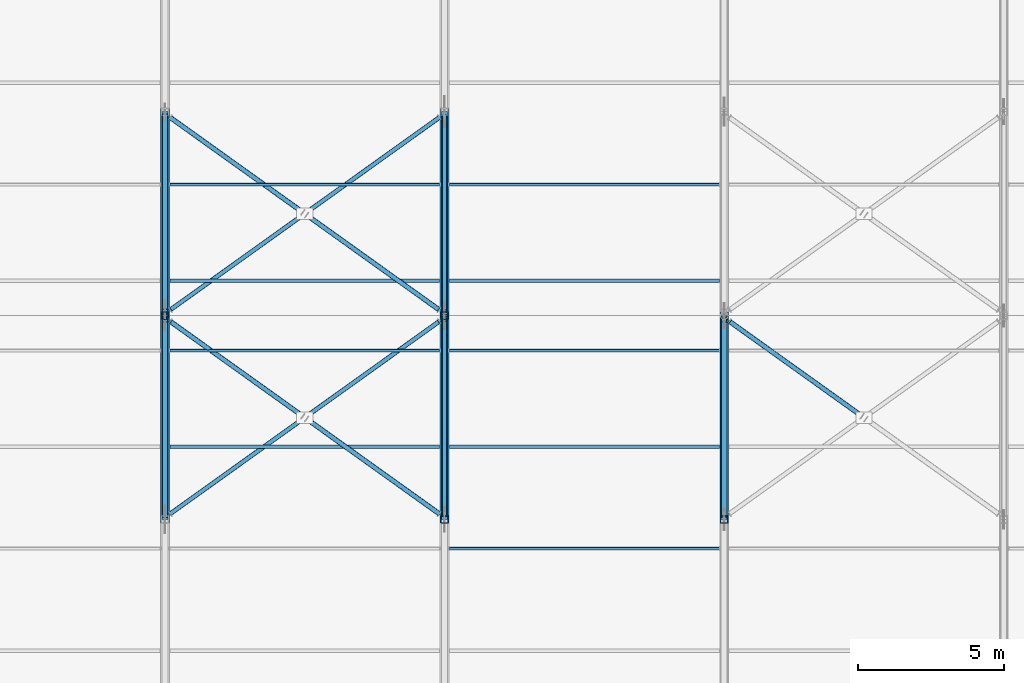
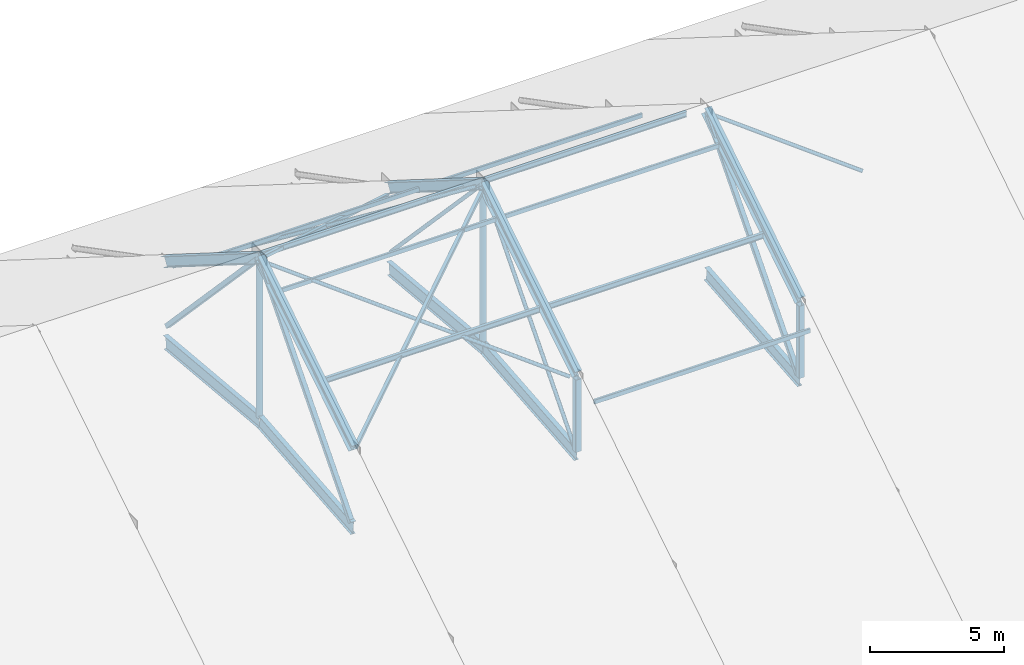
# One storey, part 6 of 66: 30 members, 5 beams.
"""IFC4 building model written with IfcOpenShell, lengths in metres."""

import ifcopenshell
import ifcopenshell.guid

model = None  # the IFC model being written
_history = None  # IfcOwnerHistory: only IFC2X3 demands one
_inside = {}  # id of a spatial element -> (the spatial element, [elements in it])
_under = {}  # id of a project, library or spatial element -> (it, [spatial elements below it])
_declared = {}  # id of a project -> (the project, [libraries it declares])
_typed = {}  # id of a type object -> (the type object, [elements of that type])
_made_of = {}  # id of a material, layer set ... -> (it, [elements and type objects made of it])


def new_model(schema):
    """Start an empty IFC model of exactly this schema.

    Asked for "IFC4X3", IfcOpenShell would pick the latest addendum, in which some entities
    have other attributes; the version numbers below select the first issue.
    IFC2X3 requires an IfcOwnerHistory on every rooted entity: one is made here for all.
    """
    global model, _history
    if schema == "IFC4X3":
        model = ifcopenshell.file(schema_version=(4, 3, 0, 0))
    else:
        model = ifcopenshell.file(schema=schema)
    _inside.clear()
    _under.clear()
    _declared.clear()
    _typed.clear()
    _made_of.clear()
    _history = None
    if model.schema == "IFC2X3":
        org = make("IfcOrganization", Name="unknown")
        user = make(
            "IfcPersonAndOrganization",
            ThePerson=make("IfcPerson", FamilyName="unknown"),
            TheOrganization=org,
        )
        app = make(
            "IfcApplication",
            ApplicationDeveloper=org,
            Version="unknown",
            ApplicationFullName="unknown",
            ApplicationIdentifier="unknown",
        )
        _history = make(
            "IfcOwnerHistory",
            OwningUser=user,
            OwningApplication=app,
            ChangeAction="ADDED",
            CreationDate=0,
        )
    return model


def make(cls, **values):
    """One entity of the class cls with the attributes given. An attribute that is None is left unset."""
    return model.create_entity(
        cls, **{name: value for name, value in values.items() if value is not None}
    )


def rooted(cls, **values):
    """An entity with a GlobalId (a new one), such as an element, a storey or a relation."""
    return make(cls, GlobalId=ifcopenshell.guid.new(), OwnerHistory=_history, **values)


def si_unit(unit_type, name, prefix=None):
    """IfcSIUnit, for example si_unit("LENGTHUNIT", "METRE", prefix="MILLI")."""
    return make("IfcSIUnit", UnitType=unit_type, Prefix=prefix, Name=name)


def assignment(units):
    """IfcUnitAssignment: the units of a project."""
    return None if units is None else make("IfcUnitAssignment", Units=units)


def point(xyz):
    """IfcCartesianPoint."""
    return None if xyz is None else make("IfcCartesianPoint", Coordinates=xyz)


def direction(xyz):
    """IfcDirection."""
    return None if xyz is None else make("IfcDirection", DirectionRatios=xyz)


def frame(location, z_axis=None, x_axis=None):
    """IfcAxis2Placement3D, a coordinate frame: its origin and axes. An axis left out is left unset."""
    return make(
        "IfcAxis2Placement3D",
        Location=point(location),
        Axis=direction(z_axis),
        RefDirection=direction(x_axis),
    )


def frame_2d(location, x_axis=None):
    """IfcAxis2Placement2D, a coordinate frame in the plane: its origin and x axis."""
    return make(
        "IfcAxis2Placement2D", Location=point(location), RefDirection=direction(x_axis)
    )


def origin():
    """The frame at (0, 0, 0) with its axes left unset."""
    return frame((0.0, 0.0, 0.0))


def origin_2d():
    """The frame at (0, 0) in the plane with its x axis left unset."""
    return frame_2d((0.0, 0.0))


def place(relative_to, where):
    """IfcLocalPlacement: puts the frame where relative to a parent placement (None: the world)."""
    return make(
        "IfcLocalPlacement", PlacementRelTo=relative_to, RelativePlacement=where
    )


def context(
    kind, dimensions, precision=None, world=None, true_north=None, identifier=None
):
    """IfcGeometricRepresentationContext, for example the 3D "Model" context."""
    return make(
        "IfcGeometricRepresentationContext",
        ContextIdentifier=identifier,
        ContextType=kind,
        CoordinateSpaceDimension=dimensions,
        Precision=precision,
        WorldCoordinateSystem=world,
        TrueNorth=true_north,
    )


def subcontext(parent, identifier, kind, view, scale=None):
    """IfcGeometricRepresentationSubContext, for example "Body" below "Model"."""
    return make(
        "IfcGeometricRepresentationSubContext",
        ContextIdentifier=identifier,
        ContextType=kind,
        ParentContext=parent,
        TargetScale=scale,
        TargetView=view,
    )


def project(units=None, contexts=None):
    """IfcProject with its units and contexts."""
    return rooted(
        "IfcProject",
        Name="project",
        RepresentationContexts=contexts,
        UnitsInContext=assignment(units),
    )


def spatial(cls, under=None, at=None, **own):
    """A site, building, storey or space (cls), placed at a placement, below another one or the project."""
    s = rooted(cls, ObjectPlacement=at, **own)
    if under is not None:
        _under.setdefault(under.id(), (under, []))[1].append(s)
    return s


def profile(cls, at=None, kind="AREA", **sizes):
    """A parametric profile (cls). Its sizes go by their IFC names, for example OverallWidth=200.0."""
    return make(cls, ProfileType=kind, Position=at, **sizes)


def hollow_rectangle(**sizes):
    """IfcRectangleHollowProfileDef."""
    return profile("IfcRectangleHollowProfileDef", **sizes)


def hollow_circle(**sizes):
    """IfcCircleHollowProfileDef."""
    return profile("IfcCircleHollowProfileDef", **sizes)


def i_section(**sizes):
    """IfcIShapeProfileDef."""
    return profile("IfcIShapeProfileDef", **sizes)


def extrude(swept, where, along, depth):
    """IfcExtrudedAreaSolid: the profile swept, set in the frame where, extruded along a direction by depth."""
    return make(
        "IfcExtrudedAreaSolid",
        SweptArea=swept,
        Position=where,
        ExtrudedDirection=direction(along),
        Depth=depth,
    )


def shape(context_of_items, identifier, shape_type, items):
    """IfcShapeRepresentation: the items that make up one representation, for example the "Body"."""
    return make(
        "IfcShapeRepresentation",
        ContextOfItems=context_of_items,
        RepresentationIdentifier=identifier,
        RepresentationType=shape_type,
        Items=items,
    )


def material(Name=None, Category=None):
    """IfcMaterial."""
    return make("IfcMaterial", Name=Name, Category=Category)


def material_profile(
    of_material, cross_section, Name=None, Category=None, Priority=None
):
    """IfcMaterialProfile: a cross section and its material."""
    return make(
        "IfcMaterialProfile",
        Name=Name,
        Material=of_material,
        Profile=cross_section,
        Priority=Priority,
        Category=Category,
    )


def profile_set(profiles, Name=None, composite=None):
    """IfcMaterialProfileSet."""
    return make(
        "IfcMaterialProfileSet",
        Name=Name,
        MaterialProfiles=profiles,
        CompositeProfile=composite,
    )


def made_of(thing, what):
    """Note that an element or type object is made of a material, layer set ...; save() writes the relation."""
    if what is not None:
        _made_of.setdefault(what.id(), (what, []))[1].append(thing)
    return thing


def type_object(cls, material=None, **own):
    """A type object (cls), such as IfcWallType, which elements share."""
    return made_of(rooted(cls, **own), material)


def element(
    cls,
    number,
    at=None,
    inside=None,
    cuts=None,
    type_object=None,
    material=None,
    context=None,
    identifier="Body",
    shape_type=None,
    held_by="IfcProductDefinitionShape",
    body=None,
    shapes=None,
    **own,
):
    """One element of the class cls, such as IfcWall. Its Tag is "e" and its number.

    at: its placement. inside: the storey or other place that contains it. cuts: it is an
    opening in that element (IfcRelVoidsElement). A single representation is given by context,
    identifier, shape_type and body (its items); several are given by shapes. held_by: the class
    of the entity that holds the representations. save() writes the other relations.
    """
    e = rooted(cls, Tag="e%d" % number, ObjectPlacement=at, **own)
    if body is not None:
        shapes = [shape(context, identifier, shape_type, body)]
    if shapes is not None:
        e.Representation = make(held_by, Representations=shapes)
    if inside is not None:
        _inside.setdefault(inside.id(), (inside, []))[1].append(e)
    if cuts is not None:
        rooted(
            "IfcRelVoidsElement", RelatingBuildingElement=cuts, RelatedOpeningElement=e
        )
    if type_object is not None:
        _typed.setdefault(type_object.id(), (type_object, []))[1].append(e)
    return made_of(e, material)


def aggregate(whole, parts):
    """IfcRelAggregates: a whole, such as a stair, and the parts it consists of."""
    return rooted("IfcRelAggregates", RelatingObject=whole, RelatedObjects=parts)


def save(model, path):
    """Write the relations noted so far, then the file.

    IfcRelAggregates (storeys below a building ...), IfcRelContainedInSpatialStructure (elements
    in a storey), IfcRelDefinesByType, IfcRelAssociatesMaterial and IfcRelDeclares: one each for
    every whole, place, type object, material and project.
    """
    for whole, parts in _under.values():
        aggregate(whole, parts)
    for where, things in _inside.values():
        rooted(
            "IfcRelContainedInSpatialStructure",
            RelatedElements=things,
            RelatingStructure=where,
        )
    for kind, things in _typed.values():
        rooted("IfcRelDefinesByType", RelatedObjects=things, RelatingType=kind)
    for what, things in _made_of.values():
        rooted("IfcRelAssociatesMaterial", RelatedObjects=things, RelatingMaterial=what)
    for by, libraries in _declared.values():
        rooted("IfcRelDeclares", RelatingContext=by, RelatedDefinitions=libraries)
    model.write(path)


model = new_model("IFC4")

# Units and contexts
model_context = context("Model", 3, precision=1e-05, world=origin(), true_north=direction((0.0, 1.0)))
body_context = subcontext(model_context, "Body", "Model", "MODEL_VIEW")
ifc_project = project(units=[si_unit("LENGTHUNIT", "METRE"), si_unit("AREAUNIT", "SQUARE_METRE"), si_unit("VOLUMEUNIT", "CUBIC_METRE"), si_unit("PLANEANGLEUNIT", "RADIAN"), si_unit("MASSUNIT", "GRAM", prefix="KILO")], contexts=[model_context])

# Site, building, storey
site_placement = place(None, origin())
site = spatial("IfcSite", under=ifc_project, at=site_placement, CompositionType="ELEMENT")
building_placement = place(site_placement, origin())
building = spatial("IfcBuilding", under=site, at=building_placement, Name="Yeouljin Market Hall", CompositionType="ELEMENT")
storey_placement = place(building_placement, frame((0.0, 0.0, 23.39990234375)))
storey = spatial("IfcBuildingStorey", under=building, at=storey_placement, Name="RF", CompositionType="ELEMENT", Elevation=23.39990234375)

# Beams
ifc_material_1 = material(Name="Steel SM355", Category="steel")
ifc_material_profile_1 = material_profile(ifc_material_1, i_section(OverallWidth=0.199951171875, OverallDepth=0.60009765625, WebThickness=0.010986328125, FlangeThickness=0.01708984375, FilletRadius=0.02197265625, at=origin_2d()), Name="H-600x200x11x17")
ifc_profile_set_1 = profile_set([ifc_material_profile_1], Name="Steel SM355")
beam_type = type_object("IfcBeamType", Name="Beam_H-600x200x11x17", PredefinedType="BEAM", material=ifc_profile_set_1)
for number, where, z_axis, x_axis, name in (
    (1, (64.199951171875, 50.02001953125, -7.144287109375), (0.0, 0.995742692808, 0.092176405441), (-1.0, 0.0, 0.0), "Truss AT-04 arch rib 3"),
    (2, (64.199951171875, 57.02001953125, -6.5), (0.0, 0.995742692808, -0.092176405441), (-1.0, 0.0, 0.0), "Truss AT-04 arch rib 4"),
    (3, (73.800048828125, 50.02001953125, -7.144287109375), (0.0, 0.995742692808, 0.092176405441), (-1.0, 0.0, 0.0), "Truss AT-05 arch rib 3"),
    (4, (73.800048828125, 57.02001953125, -6.5), (0.0, 0.995742692808, -0.092176405441), (-1.0, 0.0, 0.0), "Truss AT-05 arch rib 4"),
    (5, (83.39990234375, 50.02001953125, -7.144287109375), (0.0, 0.995742692808, 0.092176405441), (-1.0, 0.0, 0.0), "Truss AT-06 arch rib 3"),
):
    element("IfcBeam", number, at=place(storey_placement, frame(where, z_axis=z_axis, x_axis=x_axis)), inside=storey, type_object=beam_type, Name=name, PredefinedType="BEAM", context=body_context, shape_type="SweptSolid", body=[
        extrude(i_section(OverallWidth=0.199951171875, OverallDepth=0.60009765625, WebThickness=0.010986328125, FlangeThickness=0.01708984375, FilletRadius=0.02197265625, at=origin_2d()), origin(), (0.0, 0.0, 1.0), 6.98974609375),
    ])

# Members
ifc_material_2 = material(Name="Steel SS275", Category="steel")
ifc_material_profile_2 = material_profile(ifc_material_2, hollow_circle(Radius=0.08251953125, WallThickness=0.006103515625, at=origin_2d()), Name="CHS-165.2x6")
ifc_profile_set_2 = profile_set([ifc_material_profile_2], Name="Steel SS275")
member_type_1 = type_object("IfcMemberType", Name="Brace_CHS-165.2x6", PredefinedType="BRACE", material=ifc_profile_set_2)
member_1_placement = place(storey_placement, frame((73.800048828125, 50.144287109375, -6.978271484375), z_axis=(0.0, 0.656456540155, 0.754363845162), x_axis=(-1.0, 0.0, 0.0)))
element("IfcMember", 6, at=member_1_placement, inside=storey, type_object=member_type_1, Name="Truss AT-05 web diagonal 3", PredefinedType="BRACE", context=body_context, shape_type="SweptSolid", body=[
    extrude(hollow_circle(Radius=0.08251953125, WallThickness=0.006103515625, at=origin_2d()), origin(), (0.0, 0.0, 1.0), 10.2236328125),
])
member_2_placement = place(storey_placement, frame((73.800048828125, 57.151123046875, 0.740234375), z_axis=(0.0, 0.687208071692, -0.726460643257), x_axis=(-1.0, 0.0, 0.0)))
element("IfcMember", 7, at=member_2_placement, inside=storey, type_object=member_type_1, Name="Truss AT-05 web diagonal 4", PredefinedType="BRACE", context=body_context, shape_type="SweptSolid", body=[
    extrude(hollow_circle(Radius=0.08251953125, WallThickness=0.006103515625, at=origin_2d()), origin(), (0.0, 0.0, 1.0), 9.746337890625),
])
member_3_placement = place(storey_placement, frame((64.385986328125, 56.800048828125, 0.72021484375), z_axis=(0.758334968032, -0.542378256538, -0.361599091669), x_axis=(0.581742638164, 0.813372917512, 0.0)))
element("IfcMember", 8, at=member_3_placement, inside=storey, type_object=member_type_1, Name="Roof wind brace 003B1", PredefinedType="BRACE", context=body_context, shape_type="SweptSolid", body=[
    extrude(hollow_circle(Radius=0.08251953125, WallThickness=0.006103515625, at=origin_2d()), origin(), (0.0, 0.0, 1.0), 5.989501953125),
])
for number, where, z_axis, x_axis, name in (
    (9, (69.072021484375, 53.448486328125, -1.514404296875), (0.75834614511, -0.542386250636, -0.361563658736), (0.581742638164, 0.813372917512, 0.0), "Roof wind brace 003B2"),
    (10, (64.385986328125, 63.800048828125, -3.679931640625), (0.75834614511, -0.542386250636, 0.361563658736), (0.581742638164, 0.813372917512, 0.0), "Roof wind brace 004B1"),
):
    element("IfcMember", number, at=place(storey_placement, frame(where, z_axis=z_axis, x_axis=x_axis)), inside=storey, type_object=member_type_1, Name=name, PredefinedType="BRACE", context=body_context, shape_type="SweptSolid", body=[
        extrude(hollow_circle(Radius=0.08251953125, WallThickness=0.006103515625, at=origin_2d()), origin(), (0.0, 0.0, 1.0), 5.9892578125),
    ])
for number, where, z_axis, x_axis, name in (
    (11, (69.072021484375, 60.448486328125, -1.445556640625), (0.758334968032, -0.542378256538, 0.361599091669), (0.581742638164, 0.813372917512, 0.0), "Roof wind brace 004B2"),
    (12, (83.5859375, 56.800048828125, 0.72021484375), (0.758334968032, -0.542378256538, -0.361599091669), (0.581742638164, 0.813372917512, 0.0), "Roof wind brace 005B1"),
):
    element("IfcMember", number, at=place(storey_placement, frame(where, z_axis=z_axis, x_axis=x_axis)), inside=storey, type_object=member_type_1, Name=name, PredefinedType="BRACE", context=body_context, shape_type="SweptSolid", body=[
        extrude(hollow_circle(Radius=0.08251953125, WallThickness=0.006103515625, at=origin_2d()), origin(), (0.0, 0.0, 1.0), 5.989501953125),
    ])
ifc_material_3 = material(Name="Steel SS275", Category="steel")
ifc_material_profile_3 = material_profile(ifc_material_3, hollow_rectangle(XDim=0.14990234375, YDim=0.14990234375, WallThickness=0.006103515625, InnerFilletRadius=0.006103515625, OuterFilletRadius=0.011962890625, at=origin_2d()), Name="SHS-150x150x6")
ifc_profile_set_3 = profile_set([ifc_material_profile_3], Name="Steel SS275")
member_type_2 = type_object("IfcMemberType", Name="Brace_SHS-150x150x6", PredefinedType="BRACE", material=ifc_profile_set_3)
for number, where, z_axis, x_axis, name in (
    (13, (64.385986328125, 50.199951171875, -3.679931640625), (0.758336637045, 0.542379825543, 0.361593237988), (-0.581742904466, 0.813372727047, 0.0), "Roof wind brace 003A"),
    (14, (64.385986328125, 57.199951171875, 0.72021484375), (0.758336637045, 0.542379825543, -0.361593237988), (-0.581742904466, 0.813372727047, 0.0), "Roof wind brace 004A"),
):
    element("IfcMember", number, at=place(storey_placement, frame(where, z_axis=z_axis, x_axis=x_axis)), inside=storey, type_object=member_type_2, Name=name, PredefinedType="BRACE", context=body_context, shape_type="SweptSolid", body=[
        extrude(hollow_rectangle(XDim=0.14990234375, YDim=0.14990234375, WallThickness=0.006103515625, InnerFilletRadius=0.006103515625, OuterFilletRadius=0.011962890625, at=origin_2d()), origin(), (0.0, 0.0, 1.0), 12.168701171875),
    ])
ifc_material_4 = material(Name="Steel SM355", Category="steel")
ifc_material_profile_4 = material_profile(ifc_material_4, hollow_rectangle(XDim=0.199951171875, YDim=0.199951171875, WallThickness=0.008056640625, InnerFilletRadius=0.008056640625, OuterFilletRadius=0.01611328125, at=origin_2d()), Name="SHS-200x200x8")
ifc_profile_set_4 = profile_set([ifc_material_profile_4], Name="Steel SM355")
member_type_3 = type_object("IfcMemberType", Name="Brace_SHS-200x200x8", PredefinedType="BRACE", material=ifc_profile_set_4)
member_4_placement = place(storey_placement, frame((64.199951171875, 50.144287109375, -6.978271484375), z_axis=(0.0, 0.656456540155, 0.754363845162), x_axis=(-1.0, 0.0, 0.0)))
element("IfcMember", 15, at=member_4_placement, inside=storey, type_object=member_type_3, Name="Truss AT-04 web diagonal 3", PredefinedType="BRACE", context=body_context, shape_type="SweptSolid", body=[
    extrude(hollow_rectangle(XDim=0.199951171875, YDim=0.199951171875, WallThickness=0.008056640625, InnerFilletRadius=0.008056640625, OuterFilletRadius=0.01611328125, at=origin_2d()), origin(), (0.0, 0.0, 1.0), 10.2236328125),
])
member_5_placement = place(storey_placement, frame((64.199951171875, 57.151123046875, 0.740234375), z_axis=(0.0, 0.687208071692, -0.726460643257), x_axis=(-1.0, 0.0, 0.0)))
element("IfcMember", 16, at=member_5_placement, inside=storey, type_object=member_type_3, Name="Truss AT-04 web diagonal 4", PredefinedType="BRACE", context=body_context, shape_type="SweptSolid", body=[
    extrude(hollow_rectangle(XDim=0.199951171875, YDim=0.199951171875, WallThickness=0.008056640625, InnerFilletRadius=0.008056640625, OuterFilletRadius=0.01611328125, at=origin_2d()), origin(), (0.0, 0.0, 1.0), 9.746337890625),
])
member_6_placement = place(storey_placement, frame((83.39990234375, 50.144287109375, -6.978271484375), z_axis=(0.0, 0.656456540155, 0.754363845162), x_axis=(-1.0, 0.0, 0.0)))
element("IfcMember", 17, at=member_6_placement, inside=storey, type_object=member_type_3, Name="Truss AT-06 web diagonal 3", PredefinedType="BRACE", context=body_context, shape_type="SweptSolid", body=[
    extrude(hollow_rectangle(XDim=0.199951171875, YDim=0.199951171875, WallThickness=0.008056640625, InnerFilletRadius=0.008056640625, OuterFilletRadius=0.01611328125, at=origin_2d()), origin(), (0.0, 0.0, 1.0), 10.2236328125),
])
ifc_material_5 = material(Name="Steel SM355", Category="steel")
ifc_material_profile_5 = material_profile(ifc_material_5, i_section(OverallWidth=0.300048828125, OverallDepth=0.43994140625, WebThickness=0.010986328125, FlangeThickness=0.01806640625, FilletRadius=0.02001953125, at=origin_2d()), Name="H-440x300x11x18")
ifc_profile_set_5 = profile_set([ifc_material_profile_5], Name="Steel SM355")
member_type_4 = type_object("IfcMemberType", Name="Chord_H-440x300x11x18", PredefinedType="CHORD", material=ifc_profile_set_5)
for number, where, z_axis, x_axis, name in (
    (18, (64.199951171875, 50.0, -3.5), (0.0, 0.846628566691, 0.532184244471), (-1.0, 0.0, 0.0), "Truss AT-04 top chord 3"),
    (19, (64.199951171875, 57.0, 0.900146484375), (0.0, 0.846628566691, -0.532184244471), (-1.0, 0.0, 0.0), "Truss AT-04 top chord 4"),
    (20, (73.800048828125, 50.0, -3.5), (0.0, 0.846628566691, 0.532184244471), (-1.0, 0.0, 0.0), "Truss AT-05 top chord 3"),
    (21, (73.800048828125, 57.0, 0.900146484375), (0.0, 0.846628566691, -0.532184244471), (-1.0, 0.0, 0.0), "Truss AT-05 top chord 4"),
):
    element("IfcMember", number, at=place(storey_placement, frame(where, z_axis=z_axis, x_axis=x_axis)), inside=storey, type_object=member_type_4, Name=name, PredefinedType="CHORD", context=body_context, shape_type="SweptSolid", body=[
        extrude(i_section(OverallWidth=0.300048828125, OverallDepth=0.43994140625, WebThickness=0.010986328125, FlangeThickness=0.01806640625, FilletRadius=0.02001953125, at=origin_2d()), origin(), (0.0, 0.0, 1.0), 8.26806640625),
    ])
ifc_material_6 = material(Name="Steel SM355", Category="steel")
ifc_material_profile_6 = material_profile(ifc_material_6, i_section(OverallWidth=0.300048828125, OverallDepth=0.488037109375, WebThickness=0.010986328125, FlangeThickness=0.01806640625, FilletRadius=0.02197265625, at=origin_2d()), Name="H-488x300x11x18")
ifc_profile_set_6 = profile_set([ifc_material_profile_6], Name="Steel SM355")
member_type_5 = type_object("IfcMemberType", Name="Chord_H-488x300x11x18", PredefinedType="CHORD", material=ifc_profile_set_6)
member_7_placement = place(storey_placement, frame((83.39990234375, 50.0, -3.5), z_axis=(0.0, 0.846628566691, 0.532184244471), x_axis=(-1.0, 0.0, 0.0)))
element("IfcMember", 22, at=member_7_placement, inside=storey, type_object=member_type_5, Name="Truss AT-06 top chord 3", PredefinedType="CHORD", context=body_context, shape_type="SweptSolid", body=[
    extrude(i_section(OverallWidth=0.300048828125, OverallDepth=0.488037109375, WebThickness=0.010986328125, FlangeThickness=0.01806640625, FilletRadius=0.02197265625, at=origin_2d()), origin(), (0.0, 0.0, 1.0), 8.26806640625),
])
ifc_material_7 = material(Name="Steel SM355", Category="steel")
ifc_material_profile_7 = material_profile(ifc_material_7, i_section(OverallWidth=0.125, OverallDepth=0.25, WebThickness=0.006103515625, FlangeThickness=0.009033203125, FilletRadius=0.011962890625, at=origin_2d()), Name="H-250x125x6x9")
ifc_profile_set_7 = profile_set([ifc_material_profile_7], Name="Steel SM355")
member_type_6 = type_object("IfcMemberType", Name="Purlin_H-250x125x6x9", PredefinedType="PURLIN", material=ifc_profile_set_7)
for number, where, z_axis, x_axis, name in (
    (23, (64.365966796875, 52.5, -2.008544921875), (1.0, 0.0, 0.0), (0.0, 1.0, 0.0), "Nave roof purlin 041"),
    (24, (64.365966796875, 58.199951171875, 0.06591796875), (1.0, 0.0, 0.0), (0.0, 1.0, 0.0), "Nave roof purlin 043"),
):
    element("IfcMember", number, at=place(storey_placement, frame(where, z_axis=z_axis, x_axis=x_axis)), inside=storey, type_object=member_type_6, Name=name, PredefinedType="PURLIN", context=body_context, shape_type="SweptSolid", body=[
        extrude(i_section(OverallWidth=0.125, OverallDepth=0.25, WebThickness=0.006103515625, FlangeThickness=0.009033203125, FilletRadius=0.011962890625, at=origin_2d()), origin(), (0.0, 0.0, 1.0), 9.26806640625),
    ])
for number, where, z_axis, x_axis, name in (
    (25, (73.966064453125, 52.5, -2.008544921875), (1.0, 0.0, 0.0), (0.0, 1.0, 0.0), "Nave roof purlin 053"),
    (26, (73.966064453125, 58.199951171875, 0.06591796875), (1.0, 0.0, 0.0), (0.0, 1.0, 0.0), "Nave roof purlin 055"),
):
    element("IfcMember", number, at=place(storey_placement, frame(where, z_axis=z_axis, x_axis=x_axis)), inside=storey, type_object=member_type_6, Name=name, PredefinedType="PURLIN", context=body_context, shape_type="SweptSolid", body=[
        extrude(i_section(OverallWidth=0.125, OverallDepth=0.25, WebThickness=0.006103515625, FlangeThickness=0.009033203125, FilletRadius=0.011962890625, at=origin_2d()), origin(), (0.0, 0.0, 1.0), 9.267822265625),
    ])
ifc_material_8 = material(Name="Steel SS275", Category="steel")
ifc_material_profile_8 = material_profile(ifc_material_8, hollow_rectangle(XDim=0.10009765625, YDim=0.199951171875, WallThickness=0.006103515625, InnerFilletRadius=0.006103515625, OuterFilletRadius=0.011962890625, at=origin_2d()), Name="RHS-200x100x6")
ifc_profile_set_8 = profile_set([ifc_material_profile_8], Name="Steel SS275")
member_type_7 = type_object("IfcMemberType", Name="Purlin_RHS-200x100x6", PredefinedType="PURLIN", material=ifc_profile_set_8)
for number, where, z_axis, x_axis, name in (
    (27, (64.365966796875, 55.800048828125, 0.06591796875), (1.0, 0.0, 0.0), (0.0, 1.0, 0.0), "Nave roof purlin 042"),
    (28, (64.365966796875, 61.5, -2.008544921875), (1.0, 0.0, 0.0), (0.0, 1.0, 0.0), "Nave roof purlin 044"),
):
    element("IfcMember", number, at=place(storey_placement, frame(where, z_axis=z_axis, x_axis=x_axis)), inside=storey, type_object=member_type_7, Name=name, PredefinedType="PURLIN", context=body_context, shape_type="SweptSolid", body=[
        extrude(hollow_rectangle(XDim=0.10009765625, YDim=0.199951171875, WallThickness=0.006103515625, InnerFilletRadius=0.006103515625, OuterFilletRadius=0.011962890625, at=origin_2d()), origin(), (0.0, 0.0, 1.0), 9.26806640625),
    ])
for number, where, z_axis, x_axis, name in (
    (29, (73.966064453125, 49.0, -4.20849609375), (1.0, 0.0, 0.0), (0.0, 1.0, 0.0), "Nave roof purlin 052"),
    (30, (73.966064453125, 55.800048828125, 0.06591796875), (1.0, 0.0, 0.0), (0.0, 1.0, 0.0), "Nave roof purlin 054"),
    (31, (73.966064453125, 61.5, -2.008544921875), (1.0, 0.0, 0.0), (0.0, 1.0, 0.0), "Nave roof purlin 056"),
):
    element("IfcMember", number, at=place(storey_placement, frame(where, z_axis=z_axis, x_axis=x_axis)), inside=storey, type_object=member_type_7, Name=name, PredefinedType="PURLIN", context=body_context, shape_type="SweptSolid", body=[
        extrude(hollow_rectangle(XDim=0.10009765625, YDim=0.199951171875, WallThickness=0.006103515625, InnerFilletRadius=0.006103515625, OuterFilletRadius=0.011962890625, at=origin_2d()), origin(), (0.0, 0.0, 1.0), 9.267822265625),
    ])
ifc_material_9 = material(Name="Steel SM355", Category="steel")
ifc_material_profile_9 = material_profile(ifc_material_9, hollow_circle(Radius=0.1337890625, WallThickness=0.009033203125, at=origin_2d()), Name="CHS-267.4x9")
ifc_profile_set_9 = profile_set([ifc_material_profile_9], Name="Steel SM355")
member_type_8 = type_object("IfcMemberType", Name="Strut_CHS-267.4x9", PredefinedType="STRUT", material=ifc_profile_set_9)
for number, where, z_axis, x_axis, name in (
    (32, (64.199951171875, 57.0, -6.31982421875), (0.0, 0.0, 1.0), (1.0, 0.0, 0.0), "Truss AT-04 vertical strut 3"),
    (33, (73.800048828125, 57.0, -6.31982421875), (0.0, 0.0, 1.0), (1.0, 0.0, 0.0), "Truss AT-05 vertical strut 3"),
):
    element("IfcMember", number, at=place(storey_placement, frame(where, z_axis=z_axis, x_axis=x_axis)), inside=storey, type_object=member_type_8, Name=name, PredefinedType="STRUT", context=body_context, shape_type="SweptSolid", body=[
        extrude(hollow_circle(Radius=0.1337890625, WallThickness=0.009033203125, at=origin_2d()), origin(), (0.0, 0.0, 1.0), 7.0400390625),
    ])
ifc_material_10 = material(Name="Steel SM355", Category="steel")
ifc_material_profile_10 = material_profile(ifc_material_10, hollow_rectangle(XDim=0.25, YDim=0.25, WallThickness=0.009033203125, InnerFilletRadius=0.009033203125, OuterFilletRadius=0.01611328125, at=origin_2d()), Name="SHS-250x250x9")
ifc_profile_set_10 = profile_set([ifc_material_profile_10], Name="Steel SM355")
member_type_9 = type_object("IfcMemberType", Name="Strut_SHS-250x250x9", PredefinedType="STRUT", material=ifc_profile_set_10)
for number, where, z_axis, x_axis, name in (
    (34, (73.800048828125, 50.0, -6.96435546875), (0.0, 0.0, 1.0), (1.0, 0.0, 0.0), "Truss AT-05 vertical strut 2"),
    (35, (83.39990234375, 50.0, -6.96435546875), (0.0, 0.0, 1.0), (1.0, 0.0, 0.0), "Truss AT-06 vertical strut 2"),
):
    element("IfcMember", number, at=place(storey_placement, frame(where, z_axis=z_axis, x_axis=x_axis)), inside=storey, type_object=member_type_9, Name=name, PredefinedType="STRUT", context=body_context, shape_type="SweptSolid", body=[
        extrude(hollow_rectangle(XDim=0.25, YDim=0.25, WallThickness=0.009033203125, InnerFilletRadius=0.009033203125, OuterFilletRadius=0.01611328125, at=origin_2d()), origin(), (0.0, 0.0, 1.0), 3.284423828125),
    ])

save(model, "model.ifc")
